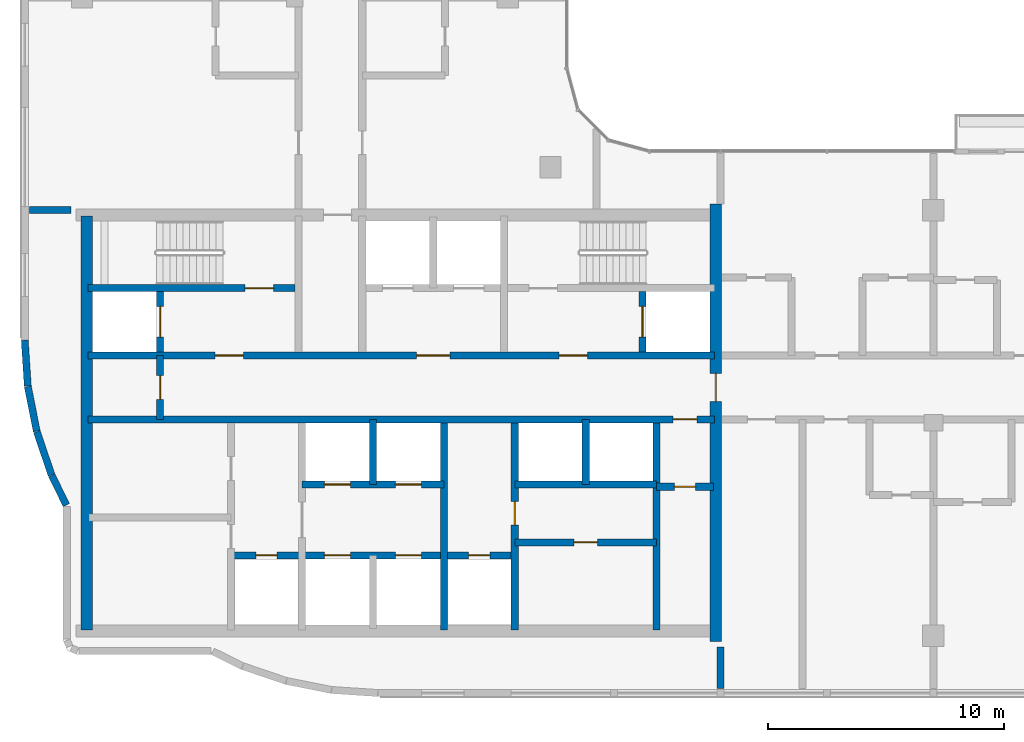
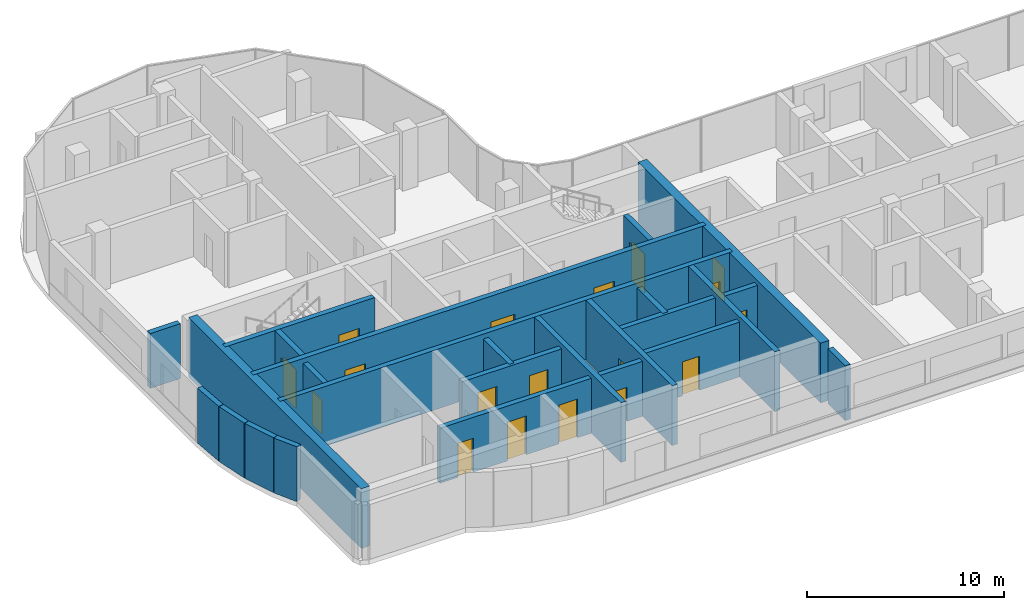
# One storey, part 9 of 18: 24 walls, 18 doors, 18 openings.
"""IFC4 building model written with IfcOpenShell, lengths in metres."""

import ifcopenshell
import ifcopenshell.guid

model = None  # the IFC model being written
_history = None  # IfcOwnerHistory: only IFC2X3 demands one
_inside = {}  # id of a spatial element -> (the spatial element, [elements in it])
_under = {}  # id of a project, library or spatial element -> (it, [spatial elements below it])
_declared = {}  # id of a project -> (the project, [libraries it declares])
_typed = {}  # id of a type object -> (the type object, [elements of that type])
_made_of = {}  # id of a material, layer set ... -> (it, [elements and type objects made of it])


def new_model(schema):
    """Start an empty IFC model of exactly this schema.

    Asked for "IFC4X3", IfcOpenShell would pick the latest addendum, in which some entities
    have other attributes; the version numbers below select the first issue.
    IFC2X3 requires an IfcOwnerHistory on every rooted entity: one is made here for all.
    """
    global model, _history
    if schema == "IFC4X3":
        model = ifcopenshell.file(schema_version=(4, 3, 0, 0))
    else:
        model = ifcopenshell.file(schema=schema)
    _inside.clear()
    _under.clear()
    _declared.clear()
    _typed.clear()
    _made_of.clear()
    _history = None
    if model.schema == "IFC2X3":
        org = make("IfcOrganization", Name="unknown")
        user = make(
            "IfcPersonAndOrganization",
            ThePerson=make("IfcPerson", FamilyName="unknown"),
            TheOrganization=org,
        )
        app = make(
            "IfcApplication",
            ApplicationDeveloper=org,
            Version="unknown",
            ApplicationFullName="unknown",
            ApplicationIdentifier="unknown",
        )
        _history = make(
            "IfcOwnerHistory",
            OwningUser=user,
            OwningApplication=app,
            ChangeAction="ADDED",
            CreationDate=0,
        )
    return model


def make(cls, **values):
    """One entity of the class cls with the attributes given. An attribute that is None is left unset."""
    return model.create_entity(
        cls, **{name: value for name, value in values.items() if value is not None}
    )


def rooted(cls, **values):
    """An entity with a GlobalId (a new one), such as an element, a storey or a relation."""
    return make(cls, GlobalId=ifcopenshell.guid.new(), OwnerHistory=_history, **values)


def si_unit(unit_type, name, prefix=None):
    """IfcSIUnit, for example si_unit("LENGTHUNIT", "METRE", prefix="MILLI")."""
    return make("IfcSIUnit", UnitType=unit_type, Prefix=prefix, Name=name)


def assignment(units):
    """IfcUnitAssignment: the units of a project."""
    return None if units is None else make("IfcUnitAssignment", Units=units)


def point(xyz):
    """IfcCartesianPoint."""
    return None if xyz is None else make("IfcCartesianPoint", Coordinates=xyz)


def direction(xyz):
    """IfcDirection."""
    return None if xyz is None else make("IfcDirection", DirectionRatios=xyz)


def frame(location, z_axis=None, x_axis=None):
    """IfcAxis2Placement3D, a coordinate frame: its origin and axes. An axis left out is left unset."""
    return make(
        "IfcAxis2Placement3D",
        Location=point(location),
        Axis=direction(z_axis),
        RefDirection=direction(x_axis),
    )


def frame_2d(location, x_axis=None):
    """IfcAxis2Placement2D, a coordinate frame in the plane: its origin and x axis."""
    return make(
        "IfcAxis2Placement2D", Location=point(location), RefDirection=direction(x_axis)
    )


def origin():
    """The frame at (0, 0, 0) with its axes left unset."""
    return frame((0.0, 0.0, 0.0))


def place(relative_to, where):
    """IfcLocalPlacement: puts the frame where relative to a parent placement (None: the world)."""
    return make(
        "IfcLocalPlacement", PlacementRelTo=relative_to, RelativePlacement=where
    )


def context(
    kind, dimensions, precision=None, world=None, true_north=None, identifier=None
):
    """IfcGeometricRepresentationContext, for example the 3D "Model" context."""
    return make(
        "IfcGeometricRepresentationContext",
        ContextIdentifier=identifier,
        ContextType=kind,
        CoordinateSpaceDimension=dimensions,
        Precision=precision,
        WorldCoordinateSystem=world,
        TrueNorth=true_north,
    )


def subcontext(parent, identifier, kind, view, scale=None):
    """IfcGeometricRepresentationSubContext, for example "Body" below "Model"."""
    return make(
        "IfcGeometricRepresentationSubContext",
        ContextIdentifier=identifier,
        ContextType=kind,
        ParentContext=parent,
        TargetScale=scale,
        TargetView=view,
    )


def project(units=None, contexts=None):
    """IfcProject with its units and contexts."""
    return rooted(
        "IfcProject",
        Name="project",
        RepresentationContexts=contexts,
        UnitsInContext=assignment(units),
    )


def spatial(cls, under=None, at=None, **own):
    """A site, building, storey or space (cls), placed at a placement, below another one or the project."""
    s = rooted(cls, ObjectPlacement=at, **own)
    if under is not None:
        _under.setdefault(under.id(), (under, []))[1].append(s)
    return s


def profile(cls, at=None, kind="AREA", **sizes):
    """A parametric profile (cls). Its sizes go by their IFC names, for example OverallWidth=200.0."""
    return make(cls, ProfileType=kind, Position=at, **sizes)


def rectangle(**sizes):
    """IfcRectangleProfileDef."""
    return profile("IfcRectangleProfileDef", **sizes)


def extrude(swept, where, along, depth):
    """IfcExtrudedAreaSolid: the profile swept, set in the frame where, extruded along a direction by depth."""
    return make(
        "IfcExtrudedAreaSolid",
        SweptArea=swept,
        Position=where,
        ExtrudedDirection=direction(along),
        Depth=depth,
    )


def shape(context_of_items, identifier, shape_type, items):
    """IfcShapeRepresentation: the items that make up one representation, for example the "Body"."""
    return make(
        "IfcShapeRepresentation",
        ContextOfItems=context_of_items,
        RepresentationIdentifier=identifier,
        RepresentationType=shape_type,
        Items=items,
    )


def material(Name=None, Category=None):
    """IfcMaterial."""
    return make("IfcMaterial", Name=Name, Category=Category)


def layer(
    of_material, thickness, ventilated=None, Name=None, Category=None, Priority=None
):
    """IfcMaterialLayer: one layer of a wall or slab, of a material (None: an air gap)."""
    return make(
        "IfcMaterialLayer",
        Material=of_material,
        LayerThickness=thickness,
        IsVentilated=ventilated,
        Name=Name,
        Category=Category,
        Priority=Priority,
    )


def layer_set(layers, Name=None):
    """IfcMaterialLayerSet."""
    return make("IfcMaterialLayerSet", MaterialLayers=layers, LayerSetName=Name)


def made_of(thing, what):
    """Note that an element or type object is made of a material, layer set ...; save() writes the relation."""
    if what is not None:
        _made_of.setdefault(what.id(), (what, []))[1].append(thing)
    return thing


def type_object(cls, material=None, **own):
    """A type object (cls), such as IfcWallType, which elements share."""
    return made_of(rooted(cls, **own), material)


def element(
    cls,
    number,
    at=None,
    inside=None,
    cuts=None,
    type_object=None,
    material=None,
    context=None,
    identifier="Body",
    shape_type=None,
    held_by="IfcProductDefinitionShape",
    body=None,
    shapes=None,
    **own,
):
    """One element of the class cls, such as IfcWall. Its Tag is "e" and its number.

    at: its placement. inside: the storey or other place that contains it. cuts: it is an
    opening in that element (IfcRelVoidsElement). A single representation is given by context,
    identifier, shape_type and body (its items); several are given by shapes. held_by: the class
    of the entity that holds the representations. save() writes the other relations.
    """
    e = rooted(cls, Tag="e%d" % number, ObjectPlacement=at, **own)
    if body is not None:
        shapes = [shape(context, identifier, shape_type, body)]
    if shapes is not None:
        e.Representation = make(held_by, Representations=shapes)
    if inside is not None:
        _inside.setdefault(inside.id(), (inside, []))[1].append(e)
    if cuts is not None:
        rooted(
            "IfcRelVoidsElement", RelatingBuildingElement=cuts, RelatedOpeningElement=e
        )
    if type_object is not None:
        _typed.setdefault(type_object.id(), (type_object, []))[1].append(e)
    return made_of(e, material)


def fill(opening, filler):
    """IfcRelFillsElement: the door or window that sits in an opening."""
    return rooted(
        "IfcRelFillsElement",
        RelatingOpeningElement=opening,
        RelatedBuildingElement=filler,
    )


def aggregate(whole, parts):
    """IfcRelAggregates: a whole, such as a stair, and the parts it consists of."""
    return rooted("IfcRelAggregates", RelatingObject=whole, RelatedObjects=parts)


def save(model, path):
    """Write the relations noted so far, then the file.

    IfcRelAggregates (storeys below a building ...), IfcRelContainedInSpatialStructure (elements
    in a storey), IfcRelDefinesByType, IfcRelAssociatesMaterial and IfcRelDeclares: one each for
    every whole, place, type object, material and project.
    """
    for whole, parts in _under.values():
        aggregate(whole, parts)
    for where, things in _inside.values():
        rooted(
            "IfcRelContainedInSpatialStructure",
            RelatedElements=things,
            RelatingStructure=where,
        )
    for kind, things in _typed.values():
        rooted("IfcRelDefinesByType", RelatedObjects=things, RelatingType=kind)
    for what, things in _made_of.values():
        rooted("IfcRelAssociatesMaterial", RelatedObjects=things, RelatingMaterial=what)
    for by, libraries in _declared.values():
        rooted("IfcRelDeclares", RelatingContext=by, RelatedDefinitions=libraries)
    model.write(path)


model = new_model("IFC4")

# Units and contexts
model_context = context("Model", 3, precision=1e-05, world=origin(), true_north=direction((0.0, 1.0)))
body_context = subcontext(model_context, "Body", "Model", "MODEL_VIEW")
ifc_project = project(units=[si_unit("LENGTHUNIT", "METRE"), si_unit("AREAUNIT", "SQUARE_METRE"), si_unit("VOLUMEUNIT", "CUBIC_METRE"), si_unit("PLANEANGLEUNIT", "RADIAN"), si_unit("MASSUNIT", "GRAM", prefix="KILO")], contexts=[model_context])

# Site, building, storey
site_placement = place(None, origin())
site = spatial("IfcSite", under=ifc_project, at=site_placement, CompositionType="ELEMENT")
building_placement = place(site_placement, origin())
building = spatial("IfcBuilding", under=site, at=building_placement, Name="Ogive Portal Towers", CompositionType="ELEMENT")
storey_placement = place(building_placement, frame((0.0, 0.0, 236.5)))
storey = spatial("IfcBuildingStorey", under=building, at=storey_placement, Name="L59", CompositionType="ELEMENT", Elevation=236.5)

# Wall
ifc_material_1 = material(Name="Concrete C60/75", Category="concrete")
ifc_layer_1 = layer(ifc_material_1, 0.300048828125)
ifc_layer_set_1 = layer_set([ifc_layer_1], Name="CORE WALL 300 C60")
wall_type_1 = type_object("IfcWallType", Name="CORE WALL 300 C60", PredefinedType="SHEAR", material=ifc_layer_set_1)
wall_1_placement = place(storey_placement, frame((46.800048828125, 21.75, 0.0), z_axis=(0.0, 0.0, 1.0), x_axis=(0.0, 1.0, 0.0)))
element("IfcWall", 1, at=wall_1_placement, inside=storey, type_object=wall_type_1, Name="Core wall X3 L59", PredefinedType="SHEAR", context=body_context, shape_type="SweptSolid", body=[
    extrude(rectangle(XDim=8.75, YDim=0.300048828125, at=frame_2d((4.375, 0.0))), origin(), (0.0, 0.0, 1.0), 3.699951171875),
])

# Wall, opening, door
wall_2_placement = place(storey_placement, frame((49.800048828125, 21.75, 0.0), z_axis=(0.0, 0.0, 1.0), x_axis=(0.0, 1.0, 0.0)))
wall_2 = element("IfcWall", 2, at=wall_2_placement, inside=storey, type_object=wall_type_1, Name="Core wall X4 L59", PredefinedType="SHEAR", context=body_context, shape_type="SweptSolid", body=[
    extrude(rectangle(XDim=8.75, YDim=0.300048828125, at=frame_2d((4.375, 0.0))), origin(), (0.0, 0.0, 1.0), 3.699951171875),
])
opening_1_placement = place(wall_2_placement, frame((4.425048828125, 0.0, 0.0)))
opening_1 = element("IfcOpeningElement", 3, at=opening_1_placement, cuts=wall_2, Name="Opening D26-023", PredefinedType="OPENING", context=body_context, shape_type="SweptSolid", body=[
    extrude(rectangle(XDim=1.0, YDim=2.10009765625, at=frame_2d((0.5, 1.050048828125))), frame((0.0, 0.16015625, 0.0), z_axis=(0.0, -1.0, 0.0), x_axis=(1.0, 0.0, 0.0)), (0.0, 0.0, 1.0), 0.320068359375),
])
ifc_material_2 = material(Name="Steel fire door", Category="steel")
door_type_1 = type_object("IfcDoorType", Name="DT-SWING-1000x2100-FD90S", OperationType="SINGLE_SWING_LEFT", PredefinedType="DOOR", material=ifc_material_2)
door_1_placement = place(opening_1_placement, origin())
door_1 = element("IfcDoor", 4, at=door_1_placement, inside=storey, type_object=door_type_1, Name="Door D26-023", OperationType="SINGLE_SWING_LEFT", OverallHeight=2.10009765625, OverallWidth=1.0, PredefinedType="DOOR", context=body_context, shape_type="SweptSolid", body=[
    extrude(rectangle(XDim=1.0, YDim=2.10009765625, at=frame_2d((0.5, 1.050048828125))), frame((0.0, 0.02490234375, 0.0), z_axis=(0.0, -1.0, 0.0), x_axis=(1.0, 0.0, 0.0)), (0.0, 0.0, 1.0), 0.050048828125),
])
fill(opening_1, door_1)

# Wall
wall_3_placement = place(storey_placement, frame((55.800048828125, 21.75, 0.0), z_axis=(0.0, 0.0, 1.0), x_axis=(0.0, 1.0, 0.0)))
element("IfcWall", 5, at=wall_3_placement, inside=storey, type_object=wall_type_1, Name="Core wall X5 L59", PredefinedType="SHEAR", context=body_context, shape_type="SweptSolid", body=[
    extrude(rectangle(XDim=8.75, YDim=0.300048828125, at=frame_2d((4.375, 0.0))), origin(), (0.0, 0.0, 1.0), 3.699951171875),
])

# Wall, opening, door
wall_4_placement = place(storey_placement, frame((31.75, 30.64990234375, 0.0), z_axis=(0.0, 0.0, 1.0), x_axis=(1.0, 0.0, 0.0)))
wall_4 = element("IfcWall", 6, at=wall_4_placement, inside=storey, type_object=wall_type_1, Name="Core wall Y1 L59", PredefinedType="SHEAR", context=body_context, shape_type="SweptSolid", body=[
    extrude(rectangle(XDim=26.5, YDim=0.300048828125, at=frame_2d((13.25, 0.0))), origin(), (0.0, 0.0, 1.0), 3.699951171875),
])
opening_2_placement = place(wall_4_placement, frame((24.75, 0.0, 0.0)))
opening_2 = element("IfcOpeningElement", 7, at=opening_2_placement, cuts=wall_4, Name="Opening D26-009", PredefinedType="OPENING", context=body_context, shape_type="SweptSolid", body=[
    extrude(rectangle(XDim=1.0, YDim=2.10009765625, at=frame_2d((0.5, 1.050048828125))), frame((0.0, 0.16015625, 0.0), z_axis=(0.0, -1.0, 0.0), x_axis=(1.0, 0.0, 0.0)), (0.0, 0.0, 1.0), 0.320068359375),
])
door_2_placement = place(opening_2_placement, origin())
door_2 = element("IfcDoor", 8, at=door_2_placement, inside=storey, type_object=door_type_1, Name="Door D26-009", OperationType="SINGLE_SWING_LEFT", OverallHeight=2.10009765625, OverallWidth=1.0, PredefinedType="DOOR", context=body_context, shape_type="SweptSolid", body=[
    extrude(rectangle(XDim=1.0, YDim=2.10009765625, at=frame_2d((0.5, 1.050048828125))), frame((0.0, 0.02490234375, 0.0), z_axis=(0.0, -1.0, 0.0), x_axis=(1.0, 0.0, 0.0)), (0.0, 0.0, 1.0), 0.050048828125),
])
fill(opening_2, door_2)

# Wall, openings, doors
wall_5_placement = place(storey_placement, frame((31.75, 33.35009765625, 0.0), z_axis=(0.0, 0.0, 1.0), x_axis=(1.0, 0.0, 0.0)))
wall_5 = element("IfcWall", 9, at=wall_5_placement, inside=storey, type_object=wall_type_1, Name="Core wall Y2 L59", PredefinedType="SHEAR", context=body_context, shape_type="SweptSolid", body=[
    extrude(rectangle(XDim=26.5, YDim=0.300048828125, at=frame_2d((13.25, 0.0))), origin(), (0.0, 0.0, 1.0), 3.699951171875),
])
opening_3_placement = place(wall_5_placement, frame((13.89990234375, 0.0, 0.0)))
opening_3 = element("IfcOpeningElement", 10, at=opening_3_placement, cuts=wall_5, Name="Opening D26-002", PredefinedType="OPENING", context=body_context, shape_type="SweptSolid", body=[
    extrude(rectangle(XDim=1.39990234375, YDim=2.10009765625, at=frame_2d((0.699951171875, 1.050048828125))), frame((0.0, 0.16015625, 0.0), z_axis=(0.0, -1.0, 0.0), x_axis=(1.0, 0.0, 0.0)), (0.0, 0.0, 1.0), 0.320068359375),
])
opening_4_placement = place(wall_5_placement, frame((5.375, 0.0, 0.0)))
opening_4 = element("IfcOpeningElement", 11, at=opening_4_placement, cuts=wall_5, Name="Opening D26-003", PredefinedType="OPENING", context=body_context, shape_type="SweptSolid", body=[
    extrude(rectangle(XDim=1.199951171875, YDim=2.10009765625, at=frame_2d((0.60009765625, 1.050048828125))), frame((0.0, 0.16015625, 0.0), z_axis=(0.0, -1.0, 0.0), x_axis=(1.0, 0.0, 0.0)), (0.0, 0.0, 1.0), 0.320068359375),
])
opening_5_placement = place(wall_5_placement, frame((19.925048828125, 0.0, 0.0)))
opening_5 = element("IfcOpeningElement", 12, at=opening_5_placement, cuts=wall_5, Name="Opening D26-004", PredefinedType="OPENING", context=body_context, shape_type="SweptSolid", body=[
    extrude(rectangle(XDim=1.199951171875, YDim=2.10009765625, at=frame_2d((0.60009765625, 1.050048828125))), frame((0.0, 0.16015625, 0.0), z_axis=(0.0, -1.0, 0.0), x_axis=(1.0, 0.0, 0.0)), (0.0, 0.0, 1.0), 0.320068359375),
])
door_type_2 = type_object("IfcDoorType", Name="DT-SWING-1200x2100-FD90S", OperationType="SINGLE_SWING_LEFT", PredefinedType="DOOR", material=ifc_material_2)
door_3_placement = place(opening_4_placement, origin())
door_3 = element("IfcDoor", 13, at=door_3_placement, inside=storey, type_object=door_type_2, Name="Door D26-003", OperationType="SINGLE_SWING_LEFT", OverallHeight=2.10009765625, OverallWidth=1.199951171875, PredefinedType="DOOR", context=body_context, shape_type="SweptSolid", body=[
    extrude(rectangle(XDim=1.199951171875, YDim=2.10009765625, at=frame_2d((0.60009765625, 1.050048828125))), frame((0.0, 0.02490234375, 0.0), z_axis=(0.0, -1.0, 0.0), x_axis=(1.0, 0.0, 0.0)), (0.0, 0.0, 1.0), 0.050048828125),
])
fill(opening_4, door_3)
door_4_placement = place(opening_5_placement, origin())
door_4 = element("IfcDoor", 14, at=door_4_placement, inside=storey, type_object=door_type_2, Name="Door D26-004", OperationType="SINGLE_SWING_RIGHT", OverallHeight=2.10009765625, OverallWidth=1.199951171875, PredefinedType="DOOR", context=body_context, shape_type="SweptSolid", body=[
    extrude(rectangle(XDim=1.199951171875, YDim=2.10009765625, at=frame_2d((0.60009765625, 1.050048828125))), frame((0.0, 0.02490234375, 0.0), z_axis=(0.0, -1.0, 0.0), x_axis=(1.0, 0.0, 0.0)), (0.0, 0.0, 1.0), 0.050048828125),
])
fill(opening_5, door_4)
door_type_3 = type_object("IfcDoorType", Name="DT-SWING-1400x2100-FD90S", OperationType="SINGLE_SWING_LEFT", PredefinedType="DOOR", material=ifc_material_2)
door_5_placement = place(opening_3_placement, origin())
door_5 = element("IfcDoor", 15, at=door_5_placement, inside=storey, type_object=door_type_3, Name="Door D26-002", OperationType="SINGLE_SWING_RIGHT", OverallHeight=2.10009765625, OverallWidth=1.39990234375, PredefinedType="DOOR", context=body_context, shape_type="SweptSolid", body=[
    extrude(rectangle(XDim=1.39990234375, YDim=2.10009765625, at=frame_2d((0.699951171875, 1.050048828125))), frame((0.0, 0.02490234375, 0.0), z_axis=(0.0, -1.0, 0.0), x_axis=(1.0, 0.0, 0.0)), (0.0, 0.0, 1.0), 0.050048828125),
])
fill(opening_3, door_5)

# Wall, opening, door
wall_6_placement = place(storey_placement, frame((31.75, 36.199951171875, 0.0), z_axis=(0.0, 0.0, 1.0), x_axis=(1.0, 0.0, 0.0)))
wall_6 = element("IfcWall", 16, at=wall_6_placement, inside=storey, type_object=wall_type_1, Name="Core wall Y3a L59", PredefinedType="SHEAR", context=body_context, shape_type="SweptSolid", body=[
    extrude(rectangle(XDim=8.75, YDim=0.300048828125, at=frame_2d((4.375, 0.0))), origin(), (0.0, 0.0, 1.0), 3.699951171875),
])
opening_6_placement = place(wall_6_placement, frame((6.64990234375, 0.0, 0.0)))
opening_6 = element("IfcOpeningElement", 17, at=opening_6_placement, cuts=wall_6, Name="Opening D26-005", PredefinedType="OPENING", context=body_context, shape_type="SweptSolid", body=[
    extrude(rectangle(XDim=1.199951171875, YDim=2.10009765625, at=frame_2d((0.60009765625, 1.050048828125))), frame((0.0, 0.16015625, 0.0), z_axis=(0.0, -1.0, 0.0), x_axis=(1.0, 0.0, 0.0)), (0.0, 0.0, 1.0), 0.320068359375),
])
door_6_placement = place(opening_6_placement, origin())
door_6 = element("IfcDoor", 18, at=door_6_placement, inside=storey, type_object=door_type_2, Name="Door D26-005", OperationType="SINGLE_SWING_RIGHT", OverallHeight=2.10009765625, OverallWidth=1.199951171875, PredefinedType="DOOR", context=body_context, shape_type="SweptSolid", body=[
    extrude(rectangle(XDim=1.199951171875, YDim=2.10009765625, at=frame_2d((0.60009765625, 1.050048828125))), frame((0.0, 0.02490234375, 0.0), z_axis=(0.0, -1.0, 0.0), x_axis=(1.0, 0.0, 0.0)), (0.0, 0.0, 1.0), 0.050048828125),
])
fill(opening_6, door_6)

wall_7_placement = place(storey_placement, frame((34.800048828125, 33.5, 0.0), z_axis=(0.0, 0.0, 1.0), x_axis=(0.0, 1.0, 0.0)))
wall_7 = element("IfcWall", 19, at=wall_7_placement, inside=storey, type_object=wall_type_1, Name="Core wall X8 L59", PredefinedType="SHEAR", context=body_context, shape_type="SweptSolid", body=[
    extrude(rectangle(XDim=2.550048828125, YDim=0.300048828125, at=frame_2d((1.27490234375, 0.0))), origin(), (0.0, 0.0, 1.0), 3.699951171875),
])
opening_7_placement = place(wall_7_placement, frame((0.625, 0.0, 0.0)))
opening_7 = element("IfcOpeningElement", 20, at=opening_7_placement, cuts=wall_7, Name="Opening D26-019", PredefinedType="OPENING", context=body_context, shape_type="SweptSolid", body=[
    extrude(rectangle(XDim=1.300048828125, YDim=2.39990234375, at=frame_2d((0.64990234375, 1.199951171875))), frame((0.0, 0.16015625, 0.0), z_axis=(0.0, -1.0, 0.0), x_axis=(1.0, 0.0, 0.0)), (0.0, 0.0, 1.0), 0.320068359375),
])
ifc_material_3 = material(Name="Stainless steel", Category="steel")
door_type_4 = type_object("IfcDoorType", Name="DT-LD-1300x2400", OperationType="SLIDING_TO_LEFT", PredefinedType="DOOR", material=ifc_material_3)
door_7_placement = place(opening_7_placement, origin())
door_7 = element("IfcDoor", 21, at=door_7_placement, inside=storey, type_object=door_type_4, Name="Door D26-019", OperationType="SLIDING_TO_LEFT", OverallHeight=2.39990234375, OverallWidth=1.300048828125, PredefinedType="DOOR", context=body_context, shape_type="SweptSolid", body=[
    extrude(rectangle(XDim=1.300048828125, YDim=2.39990234375, at=frame_2d((0.64990234375, 1.199951171875))), frame((0.0, 0.02490234375, 0.0), z_axis=(0.0, -1.0, 0.0), x_axis=(1.0, 0.0, 0.0)), (0.0, 0.0, 1.0), 0.050048828125),
])
fill(opening_7, door_7)

wall_8_placement = place(storey_placement, frame((55.199951171875, 33.5, 0.0), z_axis=(0.0, 0.0, 1.0), x_axis=(0.0, 1.0, 0.0)))
wall_8 = element("IfcWall", 22, at=wall_8_placement, inside=storey, type_object=wall_type_1, Name="Core wall X10 L59", PredefinedType="SHEAR", context=body_context, shape_type="SweptSolid", body=[
    extrude(rectangle(XDim=2.550048828125, YDim=0.300048828125, at=frame_2d((1.27490234375, 0.0))), origin(), (0.0, 0.0, 1.0), 3.699951171875),
])
opening_8_placement = place(wall_8_placement, frame((0.625, 0.0, 0.0)))
opening_8 = element("IfcOpeningElement", 23, at=opening_8_placement, cuts=wall_8, Name="Opening D26-020", PredefinedType="OPENING", context=body_context, shape_type="SweptSolid", body=[
    extrude(rectangle(XDim=1.300048828125, YDim=2.39990234375, at=frame_2d((0.64990234375, 1.199951171875))), frame((0.0, 0.16015625, 0.0), z_axis=(0.0, -1.0, 0.0), x_axis=(1.0, 0.0, 0.0)), (0.0, 0.0, 1.0), 0.320068359375),
])
door_8_placement = place(opening_8_placement, origin())
door_8 = element("IfcDoor", 24, at=door_8_placement, inside=storey, type_object=door_type_4, Name="Door D26-020", OperationType="SLIDING_TO_LEFT", OverallHeight=2.39990234375, OverallWidth=1.300048828125, PredefinedType="DOOR", context=body_context, shape_type="SweptSolid", body=[
    extrude(rectangle(XDim=1.300048828125, YDim=2.39990234375, at=frame_2d((0.64990234375, 1.199951171875))), frame((0.0, 0.02490234375, 0.0), z_axis=(0.0, -1.0, 0.0), x_axis=(1.0, 0.0, 0.0)), (0.0, 0.0, 1.0), 0.050048828125),
])
fill(opening_8, door_8)

# Wall
ifc_layer_2 = layer(ifc_material_1, 0.5)
ifc_layer_set_2 = layer_set([ifc_layer_2], Name="CORE WALL 500 C60")
wall_type_2 = type_object("IfcWallType", Name="CORE WALL 500 C60", PredefinedType="SHEAR", material=ifc_layer_set_2)
wall_9_placement = place(storey_placement, frame((31.699951171875, 21.75, 0.0), z_axis=(0.0, 0.0, 1.0), x_axis=(0.0, 1.0, 0.0)))
element("IfcWall", 25, at=wall_9_placement, inside=storey, type_object=wall_type_2, Name="Core wall W L59", PredefinedType="SHEAR", context=body_context, shape_type="SweptSolid", body=[
    extrude(rectangle(XDim=17.5, YDim=0.5, at=frame_2d((8.75, 0.0))), origin(), (0.0, 0.0, 1.0), 3.699951171875),
])

# Wall, opening, door
wall_10_placement = place(storey_placement, frame((58.300048828125, 21.25, 0.0), z_axis=(0.0, 0.0, 1.0), x_axis=(0.0, 1.0, 0.0)))
wall_10 = element("IfcWall", 26, at=wall_10_placement, inside=storey, type_object=wall_type_2, Name="Core wall E L59", PredefinedType="SHEAR", context=body_context, shape_type="SweptSolid", body=[
    extrude(rectangle(XDim=18.5, YDim=0.5, at=frame_2d((9.25, 0.0))), origin(), (0.0, 0.0, 1.0), 3.699951171875),
])
opening_9_placement = place(wall_10_placement, frame((10.14990234375, 0.0, 0.0)))
opening_9 = element("IfcOpeningElement", 27, at=opening_9_placement, cuts=wall_10, Name="Opening D26-011", PredefinedType="OPENING", context=body_context, shape_type="SweptSolid", body=[
    extrude(rectangle(XDim=1.199951171875, YDim=2.10009765625, at=frame_2d((0.60009765625, 1.050048828125))), frame((0.0, 0.260009765625, 0.0), z_axis=(0.0, -1.0, 0.0), x_axis=(1.0, 0.0, 0.0)), (0.0, 0.0, 1.0), 0.52001953125),
])
door_9_placement = place(opening_9_placement, origin())
door_9 = element("IfcDoor", 28, at=door_9_placement, inside=storey, type_object=door_type_2, Name="Door D26-011", OperationType="SINGLE_SWING_LEFT", OverallHeight=2.10009765625, OverallWidth=1.199951171875, PredefinedType="DOOR", context=body_context, shape_type="SweptSolid", body=[
    extrude(rectangle(XDim=1.199951171875, YDim=2.10009765625, at=frame_2d((0.60009765625, 1.050048828125))), frame((0.0, 0.02490234375, 0.0), z_axis=(0.0, -1.0, 0.0), x_axis=(1.0, 0.0, 0.0)), (0.0, 0.0, 1.0), 0.050048828125),
])
fill(opening_9, door_9)

# Walls
ifc_material_4 = material(Name="Limestone cladding on lightweight block wall", Category="masonry")
ifc_layer_3 = layer(ifc_material_4, 0.300048828125)
ifc_layer_set_3 = layer_set([ifc_layer_3], Name="EXTERNAL WALL 300 STONE")
wall_type_3 = type_object("IfcWallType", Name="EXTERNAL WALL 300 STONE", PredefinedType="SOLIDWALL", material=ifc_layer_set_3)
wall_11_placement = place(storey_placement, frame((29.075439453125, 34.0, 0.0), z_axis=(0.0, 0.0, 1.0), x_axis=(0.065359381612, -0.997861789646, 0.0)))
element("IfcWall", 29, at=wall_11_placement, inside=storey, type_object=wall_type_3, Name="A:L59:f28:r0:wall", PredefinedType="SOLIDWALL", context=body_context, shape_type="SweptSolid", body=[
    extrude(rectangle(XDim=1.9423828125, YDim=0.300048828125, at=frame_2d((0.97119140625, 0.0))), origin(), (0.0, 0.0, 1.0), 3.39990234375),
])
wall_12_placement = place(storey_placement, frame((29.204833984375, 32.042236328125, 0.0), z_axis=(0.0, 0.0, 1.0), x_axis=(0.195192806162, -0.980764889473, 0.0)))
element("IfcWall", 30, at=wall_12_placement, inside=storey, type_object=wall_type_3, Name="A:L59:f29:r0:wall", PredefinedType="SOLIDWALL", context=body_context, shape_type="SweptSolid", body=[
    extrude(rectangle(XDim=1.932373046875, YDim=0.300048828125, at=frame_2d((0.96630859375, 0.0))), origin(), (0.0, 0.0, 1.0), 3.39990234375),
])
wall_13_placement = place(storey_placement, frame((29.5869140625, 30.1279296875, 0.0), z_axis=(0.0, 0.0, 1.0), x_axis=(0.321490535672, -0.946912791905, 0.0)))
element("IfcWall", 31, at=wall_13_placement, inside=storey, type_object=wall_type_3, Name="A:L59:f30:r0:wall", PredefinedType="SOLIDWALL", context=body_context, shape_type="SweptSolid", body=[
    extrude(rectangle(XDim=1.9326171875, YDim=0.300048828125, at=frame_2d((0.96630859375, 0.0))), origin(), (0.0, 0.0, 1.0), 3.39990234375),
])
wall_14_placement = place(storey_placement, frame((30.2158203125, 28.27978515625, 0.0), z_axis=(0.0, 0.0, 1.0), x_axis=(0.442180959254, -0.896925860522, 0.0)))
element("IfcWall", 32, at=wall_14_placement, inside=storey, type_object=wall_type_3, Name="A:L59:f31:r0:wall", PredefinedType="SOLIDWALL", context=body_context, shape_type="SweptSolid", body=[
    extrude(rectangle(XDim=1.399169921875, YDim=0.300048828125, at=frame_2d((0.69970703125, 0.0))), origin(), (0.0, 0.0, 1.0), 3.39990234375),
])

# Wall, opening, door
ifc_material_5 = material(Name="Gypsum board partition on steel studs", Category="steel")
ifc_layer_4 = layer(ifc_material_5, 0.300048828125)
ifc_layer_set_4 = layer_set([ifc_layer_4], Name="WT-PART-300")
wall_type_4 = type_object("IfcWallType", Name="WT-PART-300", PredefinedType="PARTITIONING", material=ifc_layer_set_4)
wall_15_placement = place(storey_placement, frame((49.800048828125, 25.449951171875, 0.0), z_axis=(0.0, 0.0, 1.0), x_axis=(1.0, 0.0, 0.0)))
wall_15 = element("IfcWall", 33, at=wall_15_placement, inside=storey, type_object=wall_type_4, Name="Wall pw:002:L59", PredefinedType="PARTITIONING", context=body_context, shape_type="SweptSolid", body=[
    extrude(rectangle(XDim=6.0, YDim=0.300048828125, at=frame_2d((3.0, 0.0))), origin(), (0.0, 0.0, 1.0), 3.39990234375),
])
opening_10_placement = place(wall_15_placement, frame((2.5, 0.0, 0.0)))
opening_10 = element("IfcOpeningElement", 34, at=opening_10_placement, cuts=wall_15, Name="Opening D26-024", PredefinedType="OPENING", context=body_context, shape_type="SweptSolid", body=[
    extrude(rectangle(XDim=1.0, YDim=2.10009765625, at=frame_2d((0.5, 1.050048828125))), frame((0.0, 0.16015625, 0.0), z_axis=(0.0, -1.0, 0.0), x_axis=(1.0, 0.0, 0.0)), (0.0, 0.0, 1.0), 0.320068359375),
])
door_type_5 = type_object("IfcDoorType", Name="DT-SWING-1000x2100-FD60S", OperationType="SINGLE_SWING_LEFT", PredefinedType="DOOR", material=ifc_material_2)
door_10_placement = place(opening_10_placement, origin())
door_10 = element("IfcDoor", 35, at=door_10_placement, inside=storey, type_object=door_type_5, Name="Door D26-024", OperationType="SINGLE_SWING_RIGHT", OverallHeight=2.10009765625, OverallWidth=1.0, PredefinedType="DOOR", context=body_context, shape_type="SweptSolid", body=[
    extrude(rectangle(XDim=1.0, YDim=2.10009765625, at=frame_2d((0.5, 1.050048828125))), frame((0.0, 0.02490234375, 0.0), z_axis=(0.0, -1.0, 0.0), x_axis=(1.0, 0.0, 0.0)), (0.0, 0.0, 1.0), 0.050048828125),
])
fill(opening_10, door_10)

wall_16_placement = place(storey_placement, frame((55.800048828125, 27.800048828125, 0.0), z_axis=(0.0, 0.0, 1.0), x_axis=(1.0, 0.0, 0.0)))
wall_16 = element("IfcWall", 36, at=wall_16_placement, inside=storey, type_object=wall_type_4, Name="Wall pw:004:L59", PredefinedType="PARTITIONING", context=body_context, shape_type="SweptSolid", body=[
    extrude(rectangle(XDim=2.39990234375, YDim=0.300048828125, at=frame_2d((1.199951171875, 0.0))), origin(), (0.0, 0.0, 1.0), 3.39990234375),
])
opening_11_placement = place(wall_16_placement, frame((0.75, 0.0, 0.0)))
opening_11 = element("IfcOpeningElement", 37, at=opening_11_placement, cuts=wall_16, Name="Opening D26-010", PredefinedType="OPENING", context=body_context, shape_type="SweptSolid", body=[
    extrude(rectangle(XDim=0.89990234375, YDim=2.10009765625, at=frame_2d((0.449951171875, 1.050048828125))), frame((0.0, 0.16015625, 0.0), z_axis=(0.0, -1.0, 0.0), x_axis=(1.0, 0.0, 0.0)), (0.0, 0.0, 1.0), 0.320068359375),
])
door_type_6 = type_object("IfcDoorType", Name="DT-SWING-900x2100-FD60S", OperationType="SINGLE_SWING_LEFT", PredefinedType="DOOR", material=ifc_material_2)
door_11_placement = place(opening_11_placement, origin())
door_11 = element("IfcDoor", 38, at=door_11_placement, inside=storey, type_object=door_type_6, Name="Door D26-010", OperationType="SINGLE_SWING_RIGHT", OverallHeight=2.10009765625, OverallWidth=0.89990234375, PredefinedType="DOOR", context=body_context, shape_type="SweptSolid", body=[
    extrude(rectangle(XDim=0.89990234375, YDim=2.10009765625, at=frame_2d((0.449951171875, 1.050048828125))), frame((0.0, 0.02490234375, 0.0), z_axis=(0.0, -1.0, 0.0), x_axis=(1.0, 0.0, 0.0)), (0.0, 0.0, 1.0), 0.050048828125),
])
fill(opening_11, door_11)

# Walls
ifc_layer_5 = layer(ifc_material_5, 0.300048828125)
ifc_layer_set_5 = layer_set([ifc_layer_5], Name="WT-PART-300-EI 60")
wall_type_5 = type_object("IfcWallType", Name="WT-PART-300-EI 60", PredefinedType="PARTITIONING", material=ifc_layer_set_5)
for number, where, z_axis, x_axis, name in (
    (39, (29.27490234375, 39.5, 0.0), (0.0, 0.0, 1.0), (1.0, 0.0, 0.0), "Wall L59:w013"),
    (40, (58.5, 19.27490234375, 0.0), (0.0, 0.0, 1.0), (0.0, 1.0, 0.0), "Wall L59:w033"),
):
    element("IfcWall", number, at=place(storey_placement, frame(where, z_axis=z_axis, x_axis=x_axis)), inside=storey, type_object=wall_type_5, Name=name, PredefinedType="PARTITIONING", context=body_context, shape_type="SweptSolid", body=[
        extrude(rectangle(XDim=1.755126953125, YDim=0.300048828125, at=frame_2d((0.87744140625, 0.0))), origin(), (0.0, 0.0, 1.0), 3.39990234375),
    ])

# Wall, openings, doors
ifc_material_6 = material(Name="Concrete C40/50", Category="concrete")
ifc_layer_6 = layer(ifc_material_6, 0.300048828125)
ifc_layer_set_6 = layer_set([ifc_layer_6], Name="WT-SHAFT-300")
wall_type_6 = type_object("IfcWallType", Name="WT-SHAFT-300", PredefinedType="SOLIDWALL", material=ifc_layer_set_6)
wall_17_placement = place(storey_placement, frame((37.800048828125, 24.89990234375, 0.0), z_axis=(0.0, 0.0, 1.0), x_axis=(1.0, 0.0, 0.0)))
wall_17 = element("IfcWall", 41, at=wall_17_placement, inside=storey, type_object=wall_type_6, Name="Wall pw:001:L59", PredefinedType="SOLIDWALL", context=body_context, shape_type="SweptSolid", body=[
    extrude(rectangle(XDim=12.0, YDim=0.300048828125, at=frame_2d((6.0, 0.0))), origin(), (0.0, 0.0, 1.0), 3.39990234375),
])
opening_12_placement = place(wall_17_placement, frame((1.050048828125, 0.0, 0.0)))
opening_12 = element("IfcOpeningElement", 42, at=opening_12_placement, cuts=wall_17, Name="Opening D26-007", PredefinedType="OPENING", context=body_context, shape_type="SweptSolid", body=[
    extrude(rectangle(XDim=0.89990234375, YDim=2.10009765625, at=frame_2d((0.449951171875, 1.050048828125))), frame((0.0, 0.16015625, 0.0), z_axis=(0.0, -1.0, 0.0), x_axis=(1.0, 0.0, 0.0)), (0.0, 0.0, 1.0), 0.320068359375),
])
opening_13_placement = place(wall_17_placement, frame((10.050048828125, 0.0, 0.0)))
opening_13 = element("IfcOpeningElement", 43, at=opening_13_placement, cuts=wall_17, Name="Opening D26-008", PredefinedType="OPENING", context=body_context, shape_type="SweptSolid", body=[
    extrude(rectangle(XDim=0.89990234375, YDim=2.10009765625, at=frame_2d((0.449951171875, 1.050048828125))), frame((0.0, 0.16015625, 0.0), z_axis=(0.0, -1.0, 0.0), x_axis=(1.0, 0.0, 0.0)), (0.0, 0.0, 1.0), 0.320068359375),
])
opening_14_placement = place(wall_17_placement, frame((3.949951171875, 0.0, 0.0)))
opening_14 = element("IfcOpeningElement", 44, at=opening_14_placement, cuts=wall_17, Name="Opening D26-013", PredefinedType="OPENING", context=body_context, shape_type="SweptSolid", body=[
    extrude(rectangle(XDim=1.10009765625, YDim=2.39990234375, at=frame_2d((0.550048828125, 1.199951171875))), frame((0.0, 0.16015625, 0.0), z_axis=(0.0, -1.0, 0.0), x_axis=(1.0, 0.0, 0.0)), (0.0, 0.0, 1.0), 0.320068359375),
])
opening_15_placement = place(wall_17_placement, frame((6.949951171875, 0.0, 0.0)))
opening_15 = element("IfcOpeningElement", 45, at=opening_15_placement, cuts=wall_17, Name="Opening D26-014", PredefinedType="OPENING", context=body_context, shape_type="SweptSolid", body=[
    extrude(rectangle(XDim=1.10009765625, YDim=2.39990234375, at=frame_2d((0.550048828125, 1.199951171875))), frame((0.0, 0.16015625, 0.0), z_axis=(0.0, -1.0, 0.0), x_axis=(1.0, 0.0, 0.0)), (0.0, 0.0, 1.0), 0.320068359375),
])
door_type_7 = type_object("IfcDoorType", Name="DT-LD-1100x2400", OperationType="SLIDING_TO_LEFT", PredefinedType="DOOR", material=ifc_material_3)
door_12_placement = place(opening_14_placement, origin())
door_12 = element("IfcDoor", 46, at=door_12_placement, inside=storey, type_object=door_type_7, Name="Door D26-013", OperationType="SLIDING_TO_LEFT", OverallHeight=2.39990234375, OverallWidth=1.10009765625, PredefinedType="DOOR", context=body_context, shape_type="SweptSolid", body=[
    extrude(rectangle(XDim=1.10009765625, YDim=2.39990234375, at=frame_2d((0.550048828125, 1.199951171875))), frame((0.0, 0.02490234375, 0.0), z_axis=(0.0, -1.0, 0.0), x_axis=(1.0, 0.0, 0.0)), (0.0, 0.0, 1.0), 0.050048828125),
])
fill(opening_14, door_12)
door_13_placement = place(opening_15_placement, origin())
door_13 = element("IfcDoor", 47, at=door_13_placement, inside=storey, type_object=door_type_7, Name="Door D26-014", OperationType="SLIDING_TO_LEFT", OverallHeight=2.39990234375, OverallWidth=1.10009765625, PredefinedType="DOOR", context=body_context, shape_type="SweptSolid", body=[
    extrude(rectangle(XDim=1.10009765625, YDim=2.39990234375, at=frame_2d((0.550048828125, 1.199951171875))), frame((0.0, 0.02490234375, 0.0), z_axis=(0.0, -1.0, 0.0), x_axis=(1.0, 0.0, 0.0)), (0.0, 0.0, 1.0), 0.050048828125),
])
fill(opening_15, door_13)
door_type_8 = type_object("IfcDoorType", Name="DT-SWING-900x2100-FD90S", OperationType="SINGLE_SWING_LEFT", PredefinedType="DOOR", material=ifc_material_2)
door_14_placement = place(opening_12_placement, origin())
door_14 = element("IfcDoor", 48, at=door_14_placement, inside=storey, type_object=door_type_8, Name="Riser access door D26-007", OperationType="SINGLE_SWING_LEFT", OverallHeight=2.10009765625, OverallWidth=0.89990234375, PredefinedType="DOOR", context=body_context, shape_type="SweptSolid", body=[
    extrude(rectangle(XDim=0.89990234375, YDim=2.10009765625, at=frame_2d((0.449951171875, 1.050048828125))), frame((0.0, 0.02490234375, 0.0), z_axis=(0.0, -1.0, 0.0), x_axis=(1.0, 0.0, 0.0)), (0.0, 0.0, 1.0), 0.050048828125),
])
fill(opening_12, door_14)
door_15_placement = place(opening_13_placement, origin())
door_15 = element("IfcDoor", 49, at=door_15_placement, inside=storey, type_object=door_type_8, Name="Riser access door D26-008", OperationType="SINGLE_SWING_RIGHT", OverallHeight=2.10009765625, OverallWidth=0.89990234375, PredefinedType="DOOR", context=body_context, shape_type="SweptSolid", body=[
    extrude(rectangle(XDim=0.89990234375, YDim=2.10009765625, at=frame_2d((0.449951171875, 1.050048828125))), frame((0.0, 0.02490234375, 0.0), z_axis=(0.0, -1.0, 0.0), x_axis=(1.0, 0.0, 0.0)), (0.0, 0.0, 1.0), 0.050048828125),
])
fill(opening_13, door_15)

wall_18_placement = place(storey_placement, frame((40.800048828125, 27.89990234375, 0.0), z_axis=(0.0, 0.0, 1.0), x_axis=(1.0, 0.0, 0.0)))
wall_18 = element("IfcWall", 50, at=wall_18_placement, inside=storey, type_object=wall_type_6, Name="Wall pw:005:L59", PredefinedType="SOLIDWALL", context=body_context, shape_type="SweptSolid", body=[
    extrude(rectangle(XDim=6.0, YDim=0.300048828125, at=frame_2d((3.0, 0.0))), origin(), (0.0, 0.0, 1.0), 3.39990234375),
])
opening_16_placement = place(wall_18_placement, frame((0.949951171875, 0.0, 0.0)))
opening_16 = element("IfcOpeningElement", 51, at=opening_16_placement, cuts=wall_18, Name="Opening D26-015", PredefinedType="OPENING", context=body_context, shape_type="SweptSolid", body=[
    extrude(rectangle(XDim=1.10009765625, YDim=2.39990234375, at=frame_2d((0.550048828125, 1.199951171875))), frame((0.0, 0.16015625, 0.0), z_axis=(0.0, -1.0, 0.0), x_axis=(1.0, 0.0, 0.0)), (0.0, 0.0, 1.0), 0.320068359375),
])
opening_17_placement = place(wall_18_placement, frame((3.949951171875, 0.0, 0.0)))
opening_17 = element("IfcOpeningElement", 52, at=opening_17_placement, cuts=wall_18, Name="Opening D26-016", PredefinedType="OPENING", context=body_context, shape_type="SweptSolid", body=[
    extrude(rectangle(XDim=1.10009765625, YDim=2.39990234375, at=frame_2d((0.550048828125, 1.199951171875))), frame((0.0, 0.16015625, 0.0), z_axis=(0.0, -1.0, 0.0), x_axis=(1.0, 0.0, 0.0)), (0.0, 0.0, 1.0), 0.320068359375),
])
door_16_placement = place(opening_16_placement, origin())
door_16 = element("IfcDoor", 53, at=door_16_placement, inside=storey, type_object=door_type_7, Name="Door D26-015", OperationType="SLIDING_TO_LEFT", OverallHeight=2.39990234375, OverallWidth=1.10009765625, PredefinedType="DOOR", context=body_context, shape_type="SweptSolid", body=[
    extrude(rectangle(XDim=1.10009765625, YDim=2.39990234375, at=frame_2d((0.550048828125, 1.199951171875))), frame((0.0, 0.02490234375, 0.0), z_axis=(0.0, -1.0, 0.0), x_axis=(1.0, 0.0, 0.0)), (0.0, 0.0, 1.0), 0.050048828125),
])
fill(opening_16, door_16)
door_17_placement = place(opening_17_placement, origin())
door_17 = element("IfcDoor", 54, at=door_17_placement, inside=storey, type_object=door_type_7, Name="Door D26-016", OperationType="SLIDING_TO_LEFT", OverallHeight=2.39990234375, OverallWidth=1.10009765625, PredefinedType="DOOR", context=body_context, shape_type="SweptSolid", body=[
    extrude(rectangle(XDim=1.10009765625, YDim=2.39990234375, at=frame_2d((0.550048828125, 1.199951171875))), frame((0.0, 0.02490234375, 0.0), z_axis=(0.0, -1.0, 0.0), x_axis=(1.0, 0.0, 0.0)), (0.0, 0.0, 1.0), 0.050048828125),
])
fill(opening_17, door_17)

# Wall
wall_19_placement = place(storey_placement, frame((49.800048828125, 27.89990234375, 0.0), z_axis=(0.0, 0.0, 1.0), x_axis=(1.0, 0.0, 0.0)))
element("IfcWall", 55, at=wall_19_placement, inside=storey, type_object=wall_type_6, Name="Wall pw:006:L59", PredefinedType="SOLIDWALL", context=body_context, shape_type="SweptSolid", body=[
    extrude(rectangle(XDim=6.0, YDim=0.300048828125, at=frame_2d((3.0, 0.0))), origin(), (0.0, 0.0, 1.0), 3.39990234375),
])

# Wall, opening, door
wall_20_placement = place(storey_placement, frame((34.800048828125, 30.64990234375, 0.0), z_axis=(0.0, 0.0, 1.0), x_axis=(0.0, 1.0, 0.0)))
wall_20 = element("IfcWall", 56, at=wall_20_placement, inside=storey, type_object=wall_type_6, Name="Wall pw:007:L59", PredefinedType="SOLIDWALL", context=body_context, shape_type="SweptSolid", body=[
    extrude(rectangle(XDim=2.7001953125, YDim=0.300048828125, at=frame_2d((1.35009765625, 0.0))), origin(), (0.0, 0.0, 1.0), 3.39990234375),
])
opening_18_placement = place(wall_20_placement, frame((0.85009765625, 0.0, 0.0)))
opening_18 = element("IfcOpeningElement", 57, at=opening_18_placement, cuts=wall_20, Name="Opening D26-025", PredefinedType="OPENING", context=body_context, shape_type="SweptSolid", body=[
    extrude(rectangle(XDim=1.0, YDim=2.10009765625, at=frame_2d((0.5, 1.050048828125))), frame((0.0, 0.16015625, 0.0), z_axis=(0.0, -1.0, 0.0), x_axis=(1.0, 0.0, 0.0)), (0.0, 0.0, 1.0), 0.320068359375),
])
door_18_placement = place(opening_18_placement, origin())
door_18 = element("IfcDoor", 58, at=door_18_placement, inside=storey, type_object=door_type_1, Name="Door D26-025", OperationType="SINGLE_SWING_LEFT", OverallHeight=2.10009765625, OverallWidth=1.0, PredefinedType="DOOR", context=body_context, shape_type="SweptSolid", body=[
    extrude(rectangle(XDim=1.0, YDim=2.10009765625, at=frame_2d((0.5, 1.050048828125))), frame((0.0, 0.02490234375, 0.0), z_axis=(0.0, -1.0, 0.0), x_axis=(1.0, 0.0, 0.0)), (0.0, 0.0, 1.0), 0.050048828125),
])
fill(opening_18, door_18)

# Walls
for number, where, z_axis, x_axis, name in (
    (59, (43.800048828125, 27.89990234375, 0.0), (0.0, 0.0, 1.0), (0.0, 1.0, 0.0), "Wall pw:009:L59"),
    (60, (52.800048828125, 27.89990234375, 0.0), (0.0, 0.0, 1.0), (0.0, 1.0, 0.0), "Wall pw:011:L59"),
):
    element("IfcWall", number, at=place(storey_placement, frame(where, z_axis=z_axis, x_axis=x_axis)), inside=storey, type_object=wall_type_6, Name=name, PredefinedType="SOLIDWALL", context=body_context, shape_type="SweptSolid", body=[
        extrude(rectangle(XDim=2.75, YDim=0.300048828125, at=frame_2d((1.375, 0.0))), origin(), (0.0, 0.0, 1.0), 3.39990234375),
    ])

save(model, "model.ifc")
